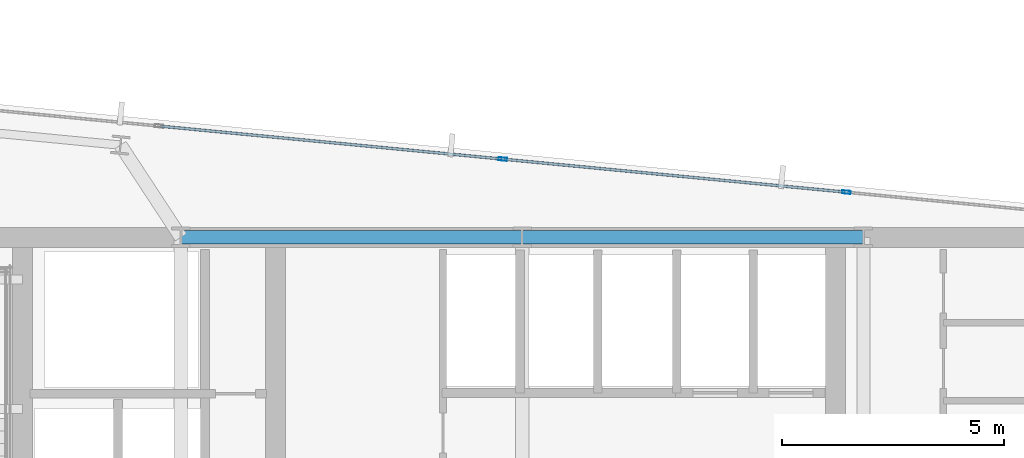
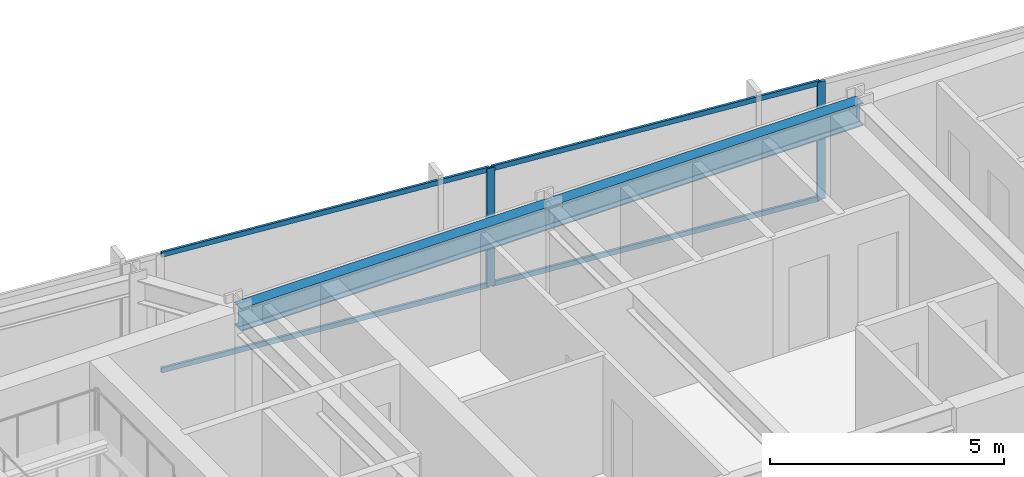
# One storey, part 26 of 37: 6 members, 2 beams, 1 element without a shape of its own.
"""IFC4 building model written with IfcOpenShell, lengths in metres."""

from ifc_helpers import new_model, si_unit, direction, frame, origin, origin_2d, place, context, subcontext, project, spatial, hollow_rectangle, i_section, extrude, material, material_profile, profile_set, type_object, element, aggregate, save


model = new_model("IFC4")

# Units and contexts
model_context = context("Model", 3, precision=1e-05, world=origin(), true_north=direction((0.0, 1.0)))
body_context = subcontext(model_context, "Body", "Model", "MODEL_VIEW")
ifc_project = project(units=[si_unit("LENGTHUNIT", "METRE"), si_unit("AREAUNIT", "SQUARE_METRE"), si_unit("VOLUMEUNIT", "CUBIC_METRE"), si_unit("PLANEANGLEUNIT", "RADIAN"), si_unit("MASSUNIT", "GRAM", prefix="KILO")], contexts=[model_context])

# Site, building, storey
site_placement = place(None, origin())
site = spatial("IfcSite", under=ifc_project, at=site_placement, CompositionType="ELEMENT")
building_placement = place(site_placement, origin())
building = spatial("IfcBuilding", under=site, at=building_placement, Name="Yelkora Congress Tower", CompositionType="ELEMENT")
storey_placement = place(building_placement, frame((0.0, 0.0, 182.0)))
storey = spatial("IfcBuildingStorey", under=building, at=storey_placement, Name="L50", CompositionType="ELEMENT", Elevation=182.0)

# Beams
ifc_material_1 = material(Name="Steel S355J2", Category="steel")
ifc_material_profile_1 = material_profile(ifc_material_1, i_section(OverallWidth=0.300048828125, OverallDepth=0.60009765625, WebThickness=0.015380859375, FlangeThickness=0.030029296875, FilletRadius=0.027099609375, at=origin_2d()), Name="HEB 600")
ifc_profile_set_1 = profile_set([ifc_material_profile_1], Name="Steel S355J2")
beam_type = type_object("IfcBeamType", Name="BM-GIRD-HEB600", PredefinedType="BEAM", material=ifc_profile_set_1)
beam_1_placement = place(storey_placement, frame((30.719970703125, 46.199951171875, 2.780029296875), z_axis=(1.0, 0.0, 0.0), x_axis=(0.0, 1.0, 0.0)))
element("IfcBeam", 1, at=beam_1_placement, inside=storey, type_object=beam_type, Name="L50 Core North Girder 3", PredefinedType="BEAM", context=body_context, shape_type="SweptSolid", body=[
    extrude(i_section(OverallWidth=0.300048828125, OverallDepth=0.60009765625, WebThickness=0.015380859375, FlangeThickness=0.030029296875, FilletRadius=0.027099609375, at=origin_2d()), origin(), (0.0, 0.0, 1.0), 7.679931640625),
])
beam_2_placement = place(storey_placement, frame((38.39990234375, 46.199951171875, 2.780029296875), z_axis=(1.0, 0.0, 0.0), x_axis=(0.0, 1.0, 0.0)))
element("IfcBeam", 2, at=beam_2_placement, inside=storey, type_object=beam_type, Name="L50 Core North Girder 4", PredefinedType="BEAM", context=body_context, shape_type="SweptSolid", body=[
    extrude(i_section(OverallWidth=0.300048828125, OverallDepth=0.60009765625, WebThickness=0.015380859375, FlangeThickness=0.030029296875, FilletRadius=0.027099609375, at=origin_2d()), origin(), (0.0, 0.0, 1.0), 7.68017578125),
])

# Curtain wall, members
ifc_material_2 = material(Name="Anodised aluminium and insulated glass", Category="aluminium")
curtain_wall_type = type_object("IfcCurtainWallType", Name="CW-SYS-B3", PredefinedType="NOTDEFINED", material=ifc_material_2)
curtain_wall_placement = place(storey_placement, origin())
curtain_wall = element("IfcCurtainWall", 3, at=curtain_wall_placement, inside=storey, type_object=curtain_wall_type, Name="L50 Unitised Curtain Wall 10 (1)", PredefinedType="NOTDEFINED")
ifc_material_3 = material(Name="Anodised aluminium 6063-T6", Category="aluminium")
ifc_material_profile_2 = material_profile(ifc_material_3, hollow_rectangle(XDim=0.070068359375, YDim=0.18994140625, WallThickness=0.00390625, at=origin_2d()), Name="ALU 70x190x4")
ifc_profile_set_2 = profile_set([ifc_material_profile_2], Name="Anodised aluminium 6063-T6")
member_type_1 = type_object("IfcMemberType", Name="MEM-ML-B3", PredefinedType="MULLION", material=ifc_profile_set_2)
member_1_placement = place(storey_placement, frame((37.9638671875, 47.958984375, 0.0), z_axis=(0.0, 0.0, 1.0), x_axis=(0.095844761168, 0.995396293823, 0.0)))
member_1 = element("IfcMember", 4, at=member_1_placement, type_object=member_type_1, Name="CW-B3 mullion 5", PredefinedType="MULLION", context=body_context, shape_type="SweptSolid", body=[
    extrude(hollow_rectangle(XDim=0.070068359375, YDim=0.18994140625, WallThickness=0.00390625, at=origin_2d()), origin(), (0.0, 0.0, 1.0), 3.080078125),
])
member_2_placement = place(storey_placement, frame((45.697509765625, 47.21435546875, 0.0), z_axis=(0.0, 0.0, 1.0), x_axis=(0.095844761168, 0.995396293823, 0.0)))
member_2 = element("IfcMember", 5, at=member_2_placement, type_object=member_type_1, Name="CW-B3 mullion 6", PredefinedType="MULLION", context=body_context, shape_type="SweptSolid", body=[
    extrude(hollow_rectangle(XDim=0.070068359375, YDim=0.18994140625, WallThickness=0.00390625, at=origin_2d()), origin(), (0.0, 0.0, 1.0), 3.080078125),
])
ifc_material_profile_3 = material_profile(ifc_material_3, hollow_rectangle(XDim=0.06005859375, YDim=0.1298828125, WallThickness=0.00390625, at=origin_2d()), Name="ALU 60x130x4")
ifc_profile_set_3 = profile_set([ifc_material_profile_3], Name="Anodised aluminium 6063-T6")
member_type_2 = type_object("IfcMemberType", Name="MEM-TR-B3", PredefinedType="USERDEFINED", material=ifc_profile_set_3)
member_3_placement = place(storey_placement, frame((30.26513671875, 48.7001953125, 0.030029296875), z_axis=(0.995398042106, -0.095826602633, 0.0), x_axis=(0.095826602633, 0.995398042106, 0.0)))
member_3 = element("IfcMember", 6, at=member_3_placement, type_object=member_type_2, Name="CW-B3 transom 4.1", ObjectType="TRANSOM", PredefinedType="USERDEFINED", context=body_context, shape_type="SweptSolid", body=[
    extrude(hollow_rectangle(XDim=0.06005859375, YDim=0.1298828125, WallThickness=0.00390625, at=origin_2d()), origin(), (0.0, 0.0, 1.0), 7.69921875),
])
member_4_placement = place(storey_placement, frame((30.26513671875, 48.7001953125, 3.050048828125), z_axis=(0.995398042106, -0.095826602633, 0.0), x_axis=(0.095826602633, 0.995398042106, 0.0)))
member_4 = element("IfcMember", 7, at=member_4_placement, type_object=member_type_2, Name="CW-B3 transom 4.2", ObjectType="TRANSOM", PredefinedType="USERDEFINED", context=body_context, shape_type="SweptSolid", body=[
    extrude(hollow_rectangle(XDim=0.06005859375, YDim=0.1298828125, WallThickness=0.00390625, at=origin_2d()), origin(), (0.0, 0.0, 1.0), 7.69921875),
])
member_5_placement = place(storey_placement, frame((37.998779296875, 47.95556640625, 0.030029296875), z_axis=(0.995398042106, -0.095826602633, 0.0), x_axis=(0.095826602633, 0.995398042106, 0.0)))
member_5 = element("IfcMember", 8, at=member_5_placement, type_object=member_type_2, Name="CW-B3 transom 5.1", ObjectType="TRANSOM", PredefinedType="USERDEFINED", context=body_context, shape_type="SweptSolid", body=[
    extrude(hollow_rectangle(XDim=0.06005859375, YDim=0.1298828125, WallThickness=0.00390625, at=origin_2d()), origin(), (0.0, 0.0, 1.0), 7.69921875),
])
member_6_placement = place(storey_placement, frame((37.998779296875, 47.95556640625, 3.050048828125), z_axis=(0.995398042106, -0.095826602633, 0.0), x_axis=(0.095826602633, 0.995398042106, 0.0)))
member_6 = element("IfcMember", 9, at=member_6_placement, type_object=member_type_2, Name="CW-B3 transom 5.2", ObjectType="TRANSOM", PredefinedType="USERDEFINED", context=body_context, shape_type="SweptSolid", body=[
    extrude(hollow_rectangle(XDim=0.06005859375, YDim=0.1298828125, WallThickness=0.00390625, at=origin_2d()), origin(), (0.0, 0.0, 1.0), 7.69921875),
])
aggregate(curtain_wall, [member_1, member_2, member_3, member_4, member_5, member_6])

save(model, "model.ifc")
